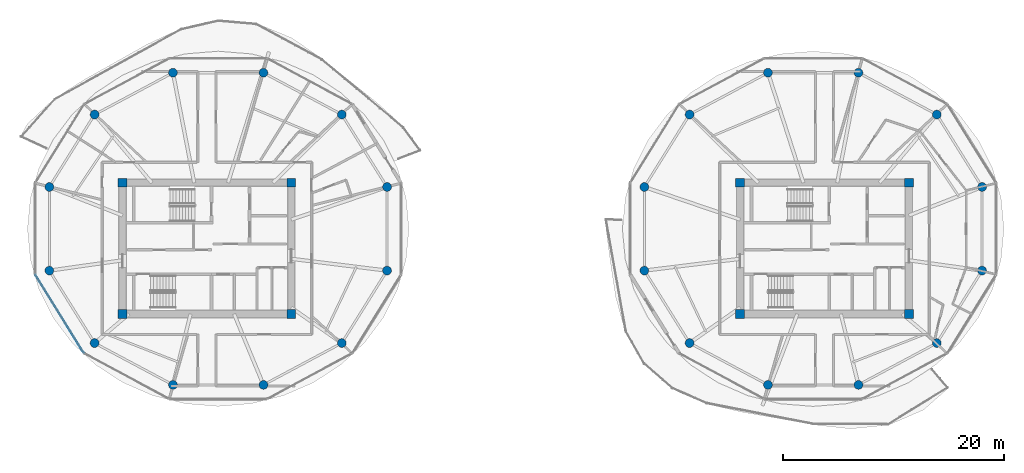
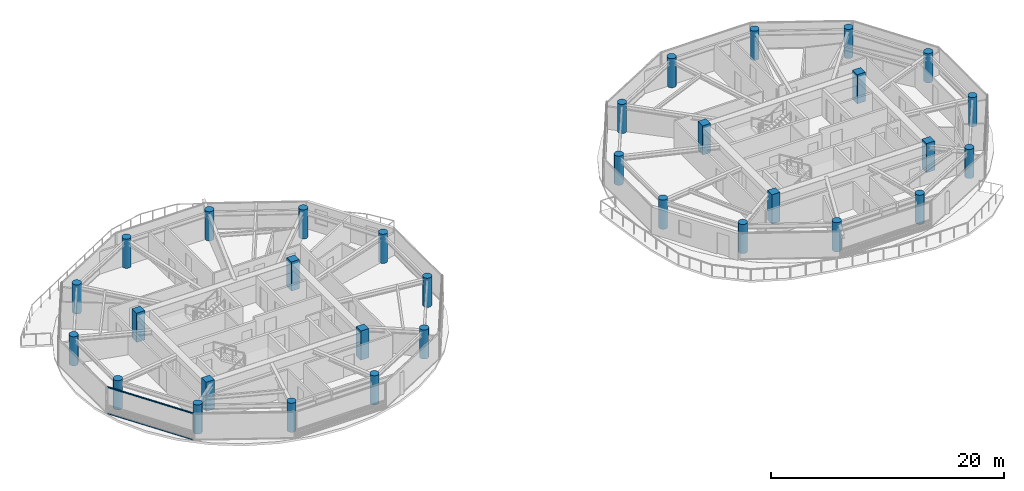
# One storey, part 1 of 21: 32 columns, 2 members, 1 element without a shape of its own.
"""IFC4 building model written with IfcOpenShell, lengths in metres."""

from ifc_helpers import new_model, si_unit, direction, frame, origin, origin_2d, place, context, subcontext, project, spatial, rectangle, circle, extrude, source, transform, mapped, material, layer, layer_set, material_profile, profile_set, type_object, type_shapes, element, aggregate, save


model = new_model("IFC4")

# Units and contexts
model_context = context("Model", 3, precision=1e-05, world=origin(), true_north=direction((0.0, 1.0)))
body_context = subcontext(model_context, "Body", "Model", "MODEL_VIEW")
ifc_project = project(units=[si_unit("LENGTHUNIT", "METRE"), si_unit("AREAUNIT", "SQUARE_METRE"), si_unit("VOLUMEUNIT", "CUBIC_METRE"), si_unit("PLANEANGLEUNIT", "RADIAN"), si_unit("MASSUNIT", "GRAM", prefix="KILO")], contexts=[model_context])

# Site, building, storey
site_placement = place(None, origin())
site = spatial("IfcSite", under=ifc_project, at=site_placement, CompositionType="ELEMENT")
building_placement = place(site_placement, origin())
building = spatial("IfcBuilding", under=site, at=building_placement, Name="Norrkilde Senior Care Towers", CompositionType="ELEMENT")
storey_placement = place(building_placement, frame((0.0, 0.0, 143.449951171875)))
storey = spatial("IfcBuildingStorey", under=building, at=storey_placement, Name="L44", CompositionType="ELEMENT", Elevation=143.449951171875)

# Columns
ifc_material_1 = material(Name="Concrete C60/75", Category="concrete")
ifc_material_profile_1 = material_profile(ifc_material_1, rectangle(XDim=0.800048828125, YDim=0.800048828125, at=origin_2d()), Name="RC COL 800x800")
ifc_profile_set_1 = profile_set([ifc_material_profile_1], Name="Concrete C60/75")
column_type_1 = type_object("IfcColumnType", Name="Column Core Corner Z3-Z4 800", PredefinedType="COLUMN", material=ifc_profile_set_1)
shared_shape_1 = source(origin(), body_context, "Body", "SweptSolid", [
    extrude(rectangle(XDim=0.800048828125, YDim=0.800048828125, at=origin_2d()), origin(), (0.0, 0.0, 1.0), 3.050048828125),
])
type_shapes(column_type_1, [shared_shape_1])
for number, where, z_axis, x_axis, name in (
    (1, (-35.64990234375, -5.949951171875, 0.0), (0.0, 0.0, 1.0), (1.0, 0.0, 0.0), "L44 Core W Corner Column 1"),
    (2, (-20.35009765625, -5.949951171875, 0.0), (0.0, 0.0, 1.0), (1.0, 0.0, 0.0), "L44 Core W Corner Column 2"),
    (3, (-20.35009765625, 5.949951171875, 0.0), (0.0, 0.0, 1.0), (1.0, 0.0, 0.0), "L44 Core W Corner Column 3"),
    (4, (-35.64990234375, 5.949951171875, 0.0), (0.0, 0.0, 1.0), (1.0, 0.0, 0.0), "L44 Core W Corner Column 4"),
    (5, (20.35009765625, -5.949951171875, 0.0), (0.0, 0.0, 1.0), (1.0, 0.0, 0.0), "L44 Core E Corner Column 1"),
    (6, (35.64990234375, -5.949951171875, 0.0), (0.0, 0.0, 1.0), (1.0, 0.0, 0.0), "L44 Core E Corner Column 2"),
    (7, (35.64990234375, 5.949951171875, 0.0), (0.0, 0.0, 1.0), (1.0, 0.0, 0.0), "L44 Core E Corner Column 3"),
    (8, (20.35009765625, 5.949951171875, 0.0), (0.0, 0.0, 1.0), (1.0, 0.0, 0.0), "L44 Core E Corner Column 4"),
):
    element("IfcColumn", number, at=place(storey_placement, frame(where, z_axis=z_axis, x_axis=x_axis)), inside=storey, type_object=column_type_1, Name=name, PredefinedType="COLUMN", context=body_context, shape_type="MappedRepresentation", body=[
        mapped(shared_shape_1, transform((0.0, 0.0, 0.0), x_axis=(1.0, 0.0, 0.0), y_axis=(0.0, 1.0, 0.0), z_axis=(0.0, 0.0, 1.0), scale=1.0)),
    ])
ifc_material_2 = material(Name="Concrete C50/60", Category="concrete")
ifc_material_profile_2 = material_profile(ifc_material_2, circle(Radius=0.39990234375, at=origin_2d()), Name="RC CIR 800")
ifc_profile_set_2 = profile_set([ifc_material_profile_2], Name="Concrete C50/60")
column_type_2 = type_object("IfcColumnType", Name="Column Perimeter Z3 800", PredefinedType="COLUMN", material=ifc_profile_set_2)
shared_shape_2 = source(origin(), body_context, "Body", "SweptSolid", [
    extrude(circle(Radius=0.39990234375, at=origin_2d()), origin(), (0.0, 0.0, 1.0), 3.050048828125),
])
type_shapes(column_type_2, [shared_shape_2])
for number, where, z_axis, x_axis, name in (
    (9, (-11.6650390625, 5.567138671875, 0.0), (0.0, 0.0, 1.0), (1.0, 0.0, 0.0), "L44 Drum W Perimeter Column 01"),
    (10, (-15.767333984375, 12.134521484375, 0.0), (0.0, 0.0, 1.0), (1.0, 0.0, 0.0), "L44 Drum W Perimeter Column 02"),
    (11, (-22.872802734375, 15.92626953125, 0.0), (0.0, 0.0, 1.0), (1.0, 0.0, 0.0), "L44 Drum W Perimeter Column 03"),
    (12, (-31.077392578125, 15.92626953125, 0.0), (0.0, 0.0, 1.0), (1.0, 0.0, 0.0), "L44 Drum W Perimeter Column 04"),
    (13, (-38.1826171875, 12.134521484375, 0.0), (0.0, 0.0, 1.0), (1.0, 0.0, 0.0), "L44 Drum W Perimeter Column 05"),
    (14, (-42.284912109375, 5.567138671875, 0.0), (0.0, 0.0, 1.0), (1.0, 0.0, 0.0), "L44 Drum W Perimeter Column 06"),
    (15, (-42.284912109375, -2.016357421875, 0.0), (0.0, 0.0, 1.0), (1.0, 0.0, 0.0), "L44 Drum W Perimeter Column 07"),
    (16, (-38.1826171875, -8.583740234375, 0.0), (0.0, 0.0, 1.0), (1.0, 0.0, 0.0), "L44 Drum W Perimeter Column 08"),
    (17, (-31.077392578125, -12.37548828125, 0.0), (0.0, 0.0, 1.0), (1.0, 0.0, 0.0), "L44 Drum W Perimeter Column 09"),
    (18, (-22.872802734375, -12.37548828125, 0.0), (0.0, 0.0, 1.0), (1.0, 0.0, 0.0), "L44 Drum W Perimeter Column 10"),
    (19, (-15.767333984375, -8.583740234375, 0.0), (0.0, 0.0, 1.0), (1.0, 0.0, 0.0), "L44 Drum W Perimeter Column 11"),
    (20, (-11.6650390625, -2.016357421875, 0.0), (0.0, 0.0, 1.0), (1.0, 0.0, 0.0), "L44 Drum W Perimeter Column 12"),
    (21, (42.284912109375, 5.567138671875, 0.0), (0.0, 0.0, 1.0), (1.0, 0.0, 0.0), "L44 Drum E Perimeter Column 01"),
    (22, (38.1826171875, 12.134521484375, 0.0), (0.0, 0.0, 1.0), (1.0, 0.0, 0.0), "L44 Drum E Perimeter Column 02"),
    (23, (31.077392578125, 15.92626953125, 0.0), (0.0, 0.0, 1.0), (1.0, 0.0, 0.0), "L44 Drum E Perimeter Column 03"),
    (24, (22.872802734375, 15.92626953125, 0.0), (0.0, 0.0, 1.0), (1.0, 0.0, 0.0), "L44 Drum E Perimeter Column 04"),
    (25, (15.767333984375, 12.134521484375, 0.0), (0.0, 0.0, 1.0), (1.0, 0.0, 0.0), "L44 Drum E Perimeter Column 05"),
    (26, (11.6650390625, 5.567138671875, 0.0), (0.0, 0.0, 1.0), (1.0, 0.0, 0.0), "L44 Drum E Perimeter Column 06"),
    (27, (11.6650390625, -2.016357421875, 0.0), (0.0, 0.0, 1.0), (1.0, 0.0, 0.0), "L44 Drum E Perimeter Column 07"),
    (28, (15.767333984375, -8.583740234375, 0.0), (0.0, 0.0, 1.0), (1.0, 0.0, 0.0), "L44 Drum E Perimeter Column 08"),
    (29, (22.872802734375, -12.37548828125, 0.0), (0.0, 0.0, 1.0), (1.0, 0.0, 0.0), "L44 Drum E Perimeter Column 09"),
    (30, (31.077392578125, -12.37548828125, 0.0), (0.0, 0.0, 1.0), (1.0, 0.0, 0.0), "L44 Drum E Perimeter Column 10"),
    (31, (38.1826171875, -8.583740234375, 0.0), (0.0, 0.0, 1.0), (1.0, 0.0, 0.0), "L44 Drum E Perimeter Column 11"),
    (32, (42.284912109375, -2.016357421875, 0.0), (0.0, 0.0, 1.0), (1.0, 0.0, 0.0), "L44 Drum E Perimeter Column 12"),
):
    element("IfcColumn", number, at=place(storey_placement, frame(where, z_axis=z_axis, x_axis=x_axis)), inside=storey, type_object=column_type_2, Name=name, PredefinedType="COLUMN", context=body_context, shape_type="MappedRepresentation", body=[
        mapped(shared_shape_2, transform((0.0, 0.0, 0.0), x_axis=(1.0, 0.0, 0.0), y_axis=(0.0, 1.0, 0.0), z_axis=(0.0, 0.0, 1.0), scale=1.0)),
    ])

# Curtain wall, members
ifc_material_3 = material(Name="Triple Low-E Insulated Glazing", Category="glass")
ifc_layer = layer(ifc_material_3, 0.18994140625)
ifc_layer_set = layer_set([ifc_layer], Name="Triple Low-E Insulated Glazing")
curtain_wall_type = type_object("IfcCurtainWallType", Name="CW4 Zone 3 Senior Residence Curtain Wall", PredefinedType="NOTDEFINED", material=ifc_layer_set)
curtain_wall_placement = place(storey_placement, origin())
curtain_wall = element("IfcCurtainWall", 33, at=curtain_wall_placement, inside=storey, type_object=curtain_wall_type, Name="L44 Drum W Curtain Wall 06", PredefinedType="NOTDEFINED")
ifc_material_4 = material(Name="Anodised Aluminium", Category="aluminium")
ifc_material_profile_3 = material_profile(ifc_material_4, rectangle(XDim=0.06005859375, YDim=0.1201171875, at=origin_2d()), Name="ALU TRAN 60x120")
ifc_profile_set_3 = profile_set([ifc_material_profile_3], Name="Anodised Aluminium")
member_type = type_object("IfcMemberType", Name="Curtain Wall Transom Typical 60x120", PredefinedType="USERDEFINED", material=ifc_profile_set_3)
shared_shape_3 = source(origin(), body_context, "Body", "SweptSolid", [
    extrude(rectangle(XDim=0.06005859375, YDim=0.1201171875, at=origin_2d()), origin(), (0.0, 0.0, 1.0), 8.301513671875),
])
type_shapes(member_type, [shared_shape_3])
member_1_placement = place(storey_placement, frame((-39.157470703125, -9.468994140625, 0.030029296875), z_axis=(-0.527368718394, 0.849636531029, 0.0), x_axis=(-0.849636531029, -0.527368718394, 0.0)))
member_1 = element("IfcMember", 34, at=member_1_placement, type_object=member_type, Name="CW-4 transom 1.1", ObjectType="TRANSOM", PredefinedType="USERDEFINED", context=body_context, shape_type="MappedRepresentation", body=[
    mapped(shared_shape_3, transform((0.0, 0.0, 0.0), x_axis=(1.0, 0.0, 0.0), y_axis=(0.0, 1.0, 0.0), z_axis=(0.0, 0.0, 1.0), scale=1.0)),
])
member_2_placement = place(storey_placement, frame((-39.157470703125, -9.468994140625, 2.780029296875), z_axis=(-0.527368718394, 0.849636531029, 0.0), x_axis=(-0.849636531029, -0.527368718394, 0.0)))
member_2 = element("IfcMember", 35, at=member_2_placement, type_object=member_type, Name="CW-4 transom 1.2", ObjectType="TRANSOM", PredefinedType="USERDEFINED", context=body_context, shape_type="MappedRepresentation", body=[
    mapped(shared_shape_3, transform((0.0, 0.0, 0.0), x_axis=(1.0, 0.0, 0.0), y_axis=(0.0, 1.0, 0.0), z_axis=(0.0, 0.0, 1.0), scale=1.0)),
])
aggregate(curtain_wall, [member_1, member_2])

save(model, "model.ifc")
